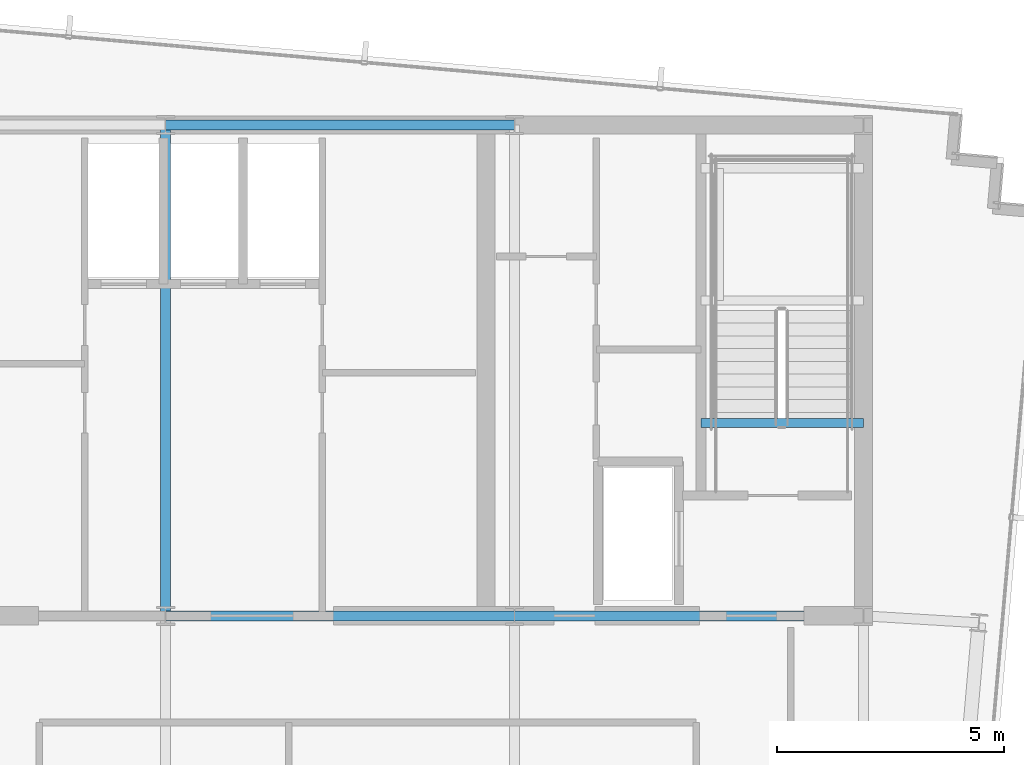
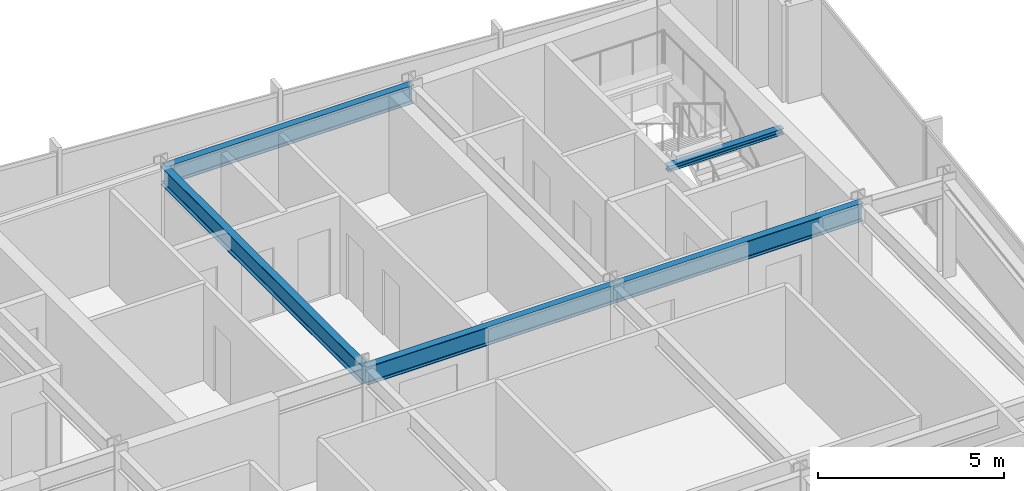
# One storey, part 18 of 33: 5 beams.
"""IFC4 building model written with IfcOpenShell, lengths in metres."""

from ifc_helpers import new_model, si_unit, direction, frame, origin, origin_2d, place, context, subcontext, project, spatial, i_section, extrude, material, material_profile, profile_set, type_object, element, save


model = new_model("IFC4")

# Units and contexts
model_context = context("Model", 3, precision=1e-05, world=origin(), true_north=direction((0.0, 1.0)))
body_context = subcontext(model_context, "Body", "Model", "MODEL_VIEW")
ifc_project = project(units=[si_unit("LENGTHUNIT", "METRE"), si_unit("AREAUNIT", "SQUARE_METRE"), si_unit("VOLUMEUNIT", "CUBIC_METRE"), si_unit("PLANEANGLEUNIT", "RADIAN"), si_unit("MASSUNIT", "GRAM", prefix="KILO")], contexts=[model_context])

# Site, building, storey
site_placement = place(None, origin())
site = spatial("IfcSite", under=ifc_project, at=site_placement, CompositionType="ELEMENT")
building_placement = place(site_placement, origin())
building = spatial("IfcBuilding", under=site, at=building_placement, Name="Yelkora Congress Tower", CompositionType="ELEMENT")
storey_placement = place(building_placement, frame((0.0, 0.0, 286.300048828125)))
storey = spatial("IfcBuildingStorey", under=building, at=storey_placement, Name="L80", CompositionType="ELEMENT", Elevation=286.300048828125)

# Beams
ifc_material = material(Name="Steel S355J2", Category="steel")
ifc_material_profile_1 = material_profile(ifc_material, i_section(OverallWidth=0.219970703125, OverallDepth=0.60009765625, WebThickness=0.011962890625, FlangeThickness=0.01904296875, FilletRadius=0.02392578125, at=origin_2d()), Name="IPE 600")
ifc_profile_set_1 = profile_set([ifc_material_profile_1], Name="Steel S355J2")
beam_type_1 = type_object("IfcBeamType", Name="BM-GIRD-IPE600", PredefinedType="BEAM", material=ifc_profile_set_1)
for number, where, z_axis, x_axis, name in (
    (1, (38.39990234375, 46.199951171875, 2.8798828125), (1.0, 0.0, 0.0), (0.0, 1.0, 0.0), "L80 Core North Girder 3"),
    (2, (38.39990234375, 35.39990234375, 2.8798828125), (1.0, 0.0, 0.0), (0.0, 1.0, 0.0), "L80 Core South Girder 3"),
):
    element("IfcBeam", number, at=place(storey_placement, frame(where, z_axis=z_axis, x_axis=x_axis)), inside=storey, type_object=beam_type_1, Name=name, PredefinedType="BEAM", context=body_context, shape_type="SweptSolid", body=[
        extrude(i_section(OverallWidth=0.219970703125, OverallDepth=0.60009765625, WebThickness=0.011962890625, FlangeThickness=0.01904296875, FilletRadius=0.02392578125, at=origin_2d()), origin(), (0.0, 0.0, 1.0), 7.68017578125),
    ])
beam_1_placement = place(storey_placement, frame((46.080078125, 35.39990234375, 2.8798828125), z_axis=(1.0, 0.0, 0.0), x_axis=(0.0, 1.0, 0.0)))
element("IfcBeam", 3, at=beam_1_placement, inside=storey, type_object=beam_type_1, Name="L80 Core South Girder 4", PredefinedType="BEAM", context=body_context, shape_type="SweptSolid", body=[
    extrude(i_section(OverallWidth=0.219970703125, OverallDepth=0.60009765625, WebThickness=0.011962890625, FlangeThickness=0.01904296875, FilletRadius=0.02392578125, at=origin_2d()), origin(), (0.0, 0.0, 1.0), 7.679931640625),
])
beam_2_placement = place(storey_placement, frame((38.39990234375, 35.39990234375, 2.8798828125), z_axis=(0.0, 1.0, 0.0), x_axis=(-1.0, 0.0, 0.0)))
element("IfcBeam", 4, at=beam_2_placement, inside=storey, type_object=beam_type_1, Name="L80 Core Tie Girder MC-S3", PredefinedType="BEAM", context=body_context, shape_type="SweptSolid", body=[
    extrude(i_section(OverallWidth=0.219970703125, OverallDepth=0.60009765625, WebThickness=0.011962890625, FlangeThickness=0.01904296875, FilletRadius=0.02392578125, at=origin_2d()), origin(), (0.0, 0.0, 1.0), 10.800048828125),
])
ifc_material_profile_2 = material_profile(ifc_material, i_section(OverallWidth=0.199951171875, OverallDepth=0.18994140625, WebThickness=0.006591796875, FlangeThickness=0.010009765625, FilletRadius=0.01806640625, at=origin_2d()), Name="HEA 200")
ifc_profile_set_2 = profile_set([ifc_material_profile_2], Name="Steel S355J2")
beam_type_2 = type_object("IfcBeamType", Name="BM-LAND-HEA200", PredefinedType="BEAM", material=ifc_profile_set_2)
beam_3_placement = place(storey_placement, frame((50.179931640625, 39.639892578125, 2.947265625), z_axis=(1.0, 0.0, 0.0), x_axis=(0.0, 1.0, 0.0)))
element("IfcBeam", 5, at=beam_3_placement, inside=storey, type_object=beam_type_2, Name="ST-02 L80 Floor Arrival Stringer Header Beam", PredefinedType="BEAM", context=body_context, shape_type="SweptSolid", body=[
    extrude(i_section(OverallWidth=0.199951171875, OverallDepth=0.18994140625, WebThickness=0.006591796875, FlangeThickness=0.010009765625, FilletRadius=0.01806640625, at=origin_2d()), origin(), (0.0, 0.0, 1.0), 3.580078125),
])

save(model, "model.ifc")
